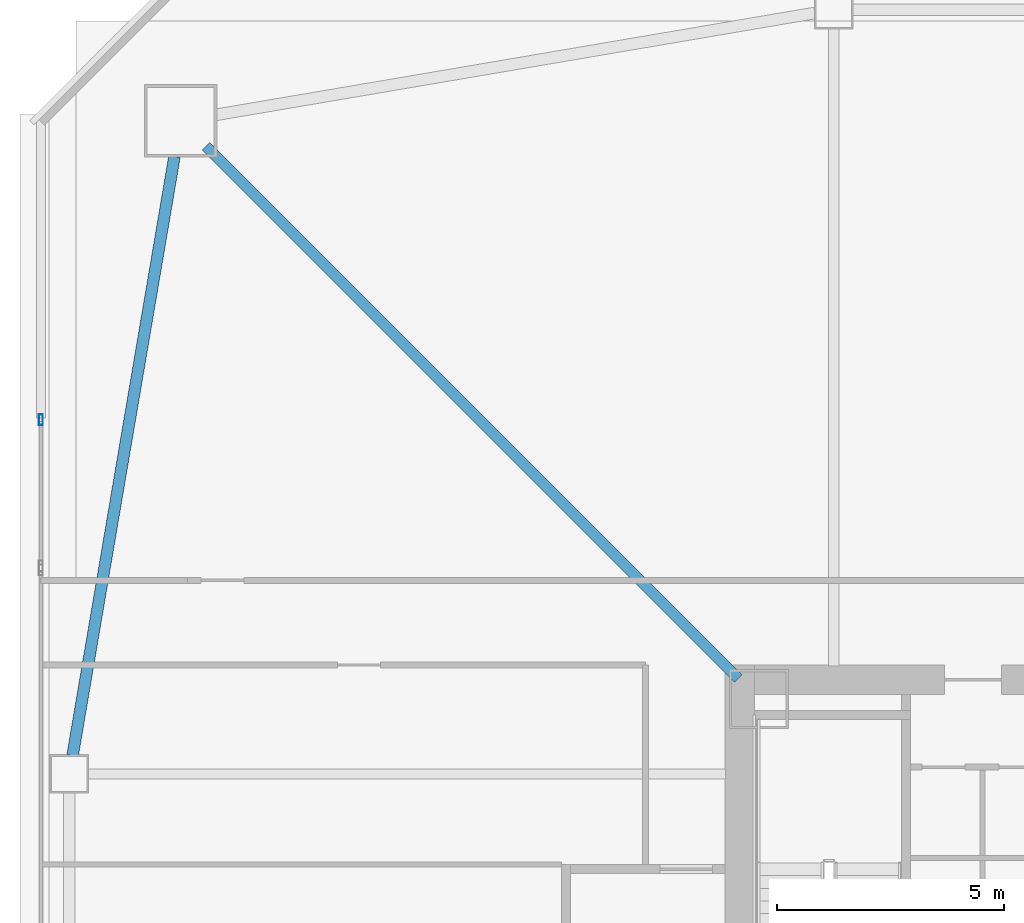
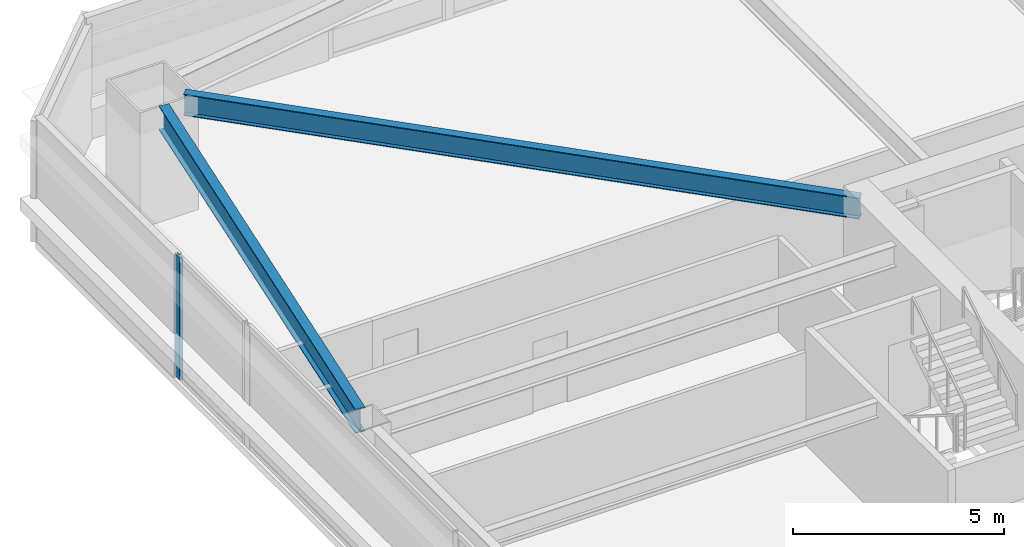
# One storey, part 13 of 46: 2 beams, 1 member, 1 element without a shape of its own.
"""IFC4 building model written with IfcOpenShell, lengths in metres."""

import ifcopenshell
import ifcopenshell.guid

model = None  # the IFC model being written
_history = None  # IfcOwnerHistory: only IFC2X3 demands one
_inside = {}  # id of a spatial element -> (the spatial element, [elements in it])
_under = {}  # id of a project, library or spatial element -> (it, [spatial elements below it])
_declared = {}  # id of a project -> (the project, [libraries it declares])
_typed = {}  # id of a type object -> (the type object, [elements of that type])
_made_of = {}  # id of a material, layer set ... -> (it, [elements and type objects made of it])


def new_model(schema):
    """Start an empty IFC model of exactly this schema.

    Asked for "IFC4X3", IfcOpenShell would pick the latest addendum, in which some entities
    have other attributes; the version numbers below select the first issue.
    IFC2X3 requires an IfcOwnerHistory on every rooted entity: one is made here for all.
    """
    global model, _history
    if schema == "IFC4X3":
        model = ifcopenshell.file(schema_version=(4, 3, 0, 0))
    else:
        model = ifcopenshell.file(schema=schema)
    _inside.clear()
    _under.clear()
    _declared.clear()
    _typed.clear()
    _made_of.clear()
    _history = None
    if model.schema == "IFC2X3":
        org = make("IfcOrganization", Name="unknown")
        user = make(
            "IfcPersonAndOrganization",
            ThePerson=make("IfcPerson", FamilyName="unknown"),
            TheOrganization=org,
        )
        app = make(
            "IfcApplication",
            ApplicationDeveloper=org,
            Version="unknown",
            ApplicationFullName="unknown",
            ApplicationIdentifier="unknown",
        )
        _history = make(
            "IfcOwnerHistory",
            OwningUser=user,
            OwningApplication=app,
            ChangeAction="ADDED",
            CreationDate=0,
        )
    return model


def make(cls, **values):
    """One entity of the class cls with the attributes given. An attribute that is None is left unset."""
    return model.create_entity(
        cls, **{name: value for name, value in values.items() if value is not None}
    )


def rooted(cls, **values):
    """An entity with a GlobalId (a new one), such as an element, a storey or a relation."""
    return make(cls, GlobalId=ifcopenshell.guid.new(), OwnerHistory=_history, **values)


def si_unit(unit_type, name, prefix=None):
    """IfcSIUnit, for example si_unit("LENGTHUNIT", "METRE", prefix="MILLI")."""
    return make("IfcSIUnit", UnitType=unit_type, Prefix=prefix, Name=name)


def assignment(units):
    """IfcUnitAssignment: the units of a project."""
    return None if units is None else make("IfcUnitAssignment", Units=units)


def point(xyz):
    """IfcCartesianPoint."""
    return None if xyz is None else make("IfcCartesianPoint", Coordinates=xyz)


def direction(xyz):
    """IfcDirection."""
    return None if xyz is None else make("IfcDirection", DirectionRatios=xyz)


def frame(location, z_axis=None, x_axis=None):
    """IfcAxis2Placement3D, a coordinate frame: its origin and axes. An axis left out is left unset."""
    return make(
        "IfcAxis2Placement3D",
        Location=point(location),
        Axis=direction(z_axis),
        RefDirection=direction(x_axis),
    )


def frame_2d(location, x_axis=None):
    """IfcAxis2Placement2D, a coordinate frame in the plane: its origin and x axis."""
    return make(
        "IfcAxis2Placement2D", Location=point(location), RefDirection=direction(x_axis)
    )


def origin():
    """The frame at (0, 0, 0) with its axes left unset."""
    return frame((0.0, 0.0, 0.0))


def origin_2d():
    """The frame at (0, 0) in the plane with its x axis left unset."""
    return frame_2d((0.0, 0.0))


def place(relative_to, where):
    """IfcLocalPlacement: puts the frame where relative to a parent placement (None: the world)."""
    return make(
        "IfcLocalPlacement", PlacementRelTo=relative_to, RelativePlacement=where
    )


def context(
    kind, dimensions, precision=None, world=None, true_north=None, identifier=None
):
    """IfcGeometricRepresentationContext, for example the 3D "Model" context."""
    return make(
        "IfcGeometricRepresentationContext",
        ContextIdentifier=identifier,
        ContextType=kind,
        CoordinateSpaceDimension=dimensions,
        Precision=precision,
        WorldCoordinateSystem=world,
        TrueNorth=true_north,
    )


def subcontext(parent, identifier, kind, view, scale=None):
    """IfcGeometricRepresentationSubContext, for example "Body" below "Model"."""
    return make(
        "IfcGeometricRepresentationSubContext",
        ContextIdentifier=identifier,
        ContextType=kind,
        ParentContext=parent,
        TargetScale=scale,
        TargetView=view,
    )


def project(units=None, contexts=None):
    """IfcProject with its units and contexts."""
    return rooted(
        "IfcProject",
        Name="project",
        RepresentationContexts=contexts,
        UnitsInContext=assignment(units),
    )


def spatial(cls, under=None, at=None, **own):
    """A site, building, storey or space (cls), placed at a placement, below another one or the project."""
    s = rooted(cls, ObjectPlacement=at, **own)
    if under is not None:
        _under.setdefault(under.id(), (under, []))[1].append(s)
    return s


def profile(cls, at=None, kind="AREA", **sizes):
    """A parametric profile (cls). Its sizes go by their IFC names, for example OverallWidth=200.0."""
    return make(cls, ProfileType=kind, Position=at, **sizes)


def hollow_rectangle(**sizes):
    """IfcRectangleHollowProfileDef."""
    return profile("IfcRectangleHollowProfileDef", **sizes)


def i_section(**sizes):
    """IfcIShapeProfileDef."""
    return profile("IfcIShapeProfileDef", **sizes)


def extrude(swept, where, along, depth):
    """IfcExtrudedAreaSolid: the profile swept, set in the frame where, extruded along a direction by depth."""
    return make(
        "IfcExtrudedAreaSolid",
        SweptArea=swept,
        Position=where,
        ExtrudedDirection=direction(along),
        Depth=depth,
    )


def shape(context_of_items, identifier, shape_type, items):
    """IfcShapeRepresentation: the items that make up one representation, for example the "Body"."""
    return make(
        "IfcShapeRepresentation",
        ContextOfItems=context_of_items,
        RepresentationIdentifier=identifier,
        RepresentationType=shape_type,
        Items=items,
    )


def material(Name=None, Category=None):
    """IfcMaterial."""
    return make("IfcMaterial", Name=Name, Category=Category)


def material_profile(
    of_material, cross_section, Name=None, Category=None, Priority=None
):
    """IfcMaterialProfile: a cross section and its material."""
    return make(
        "IfcMaterialProfile",
        Name=Name,
        Material=of_material,
        Profile=cross_section,
        Priority=Priority,
        Category=Category,
    )


def profile_set(profiles, Name=None, composite=None):
    """IfcMaterialProfileSet."""
    return make(
        "IfcMaterialProfileSet",
        Name=Name,
        MaterialProfiles=profiles,
        CompositeProfile=composite,
    )


def made_of(thing, what):
    """Note that an element or type object is made of a material, layer set ...; save() writes the relation."""
    if what is not None:
        _made_of.setdefault(what.id(), (what, []))[1].append(thing)
    return thing


def type_object(cls, material=None, **own):
    """A type object (cls), such as IfcWallType, which elements share."""
    return made_of(rooted(cls, **own), material)


def element(
    cls,
    number,
    at=None,
    inside=None,
    cuts=None,
    type_object=None,
    material=None,
    context=None,
    identifier="Body",
    shape_type=None,
    held_by="IfcProductDefinitionShape",
    body=None,
    shapes=None,
    **own,
):
    """One element of the class cls, such as IfcWall. Its Tag is "e" and its number.

    at: its placement. inside: the storey or other place that contains it. cuts: it is an
    opening in that element (IfcRelVoidsElement). A single representation is given by context,
    identifier, shape_type and body (its items); several are given by shapes. held_by: the class
    of the entity that holds the representations. save() writes the other relations.
    """
    e = rooted(cls, Tag="e%d" % number, ObjectPlacement=at, **own)
    if body is not None:
        shapes = [shape(context, identifier, shape_type, body)]
    if shapes is not None:
        e.Representation = make(held_by, Representations=shapes)
    if inside is not None:
        _inside.setdefault(inside.id(), (inside, []))[1].append(e)
    if cuts is not None:
        rooted(
            "IfcRelVoidsElement", RelatingBuildingElement=cuts, RelatedOpeningElement=e
        )
    if type_object is not None:
        _typed.setdefault(type_object.id(), (type_object, []))[1].append(e)
    return made_of(e, material)


def aggregate(whole, parts):
    """IfcRelAggregates: a whole, such as a stair, and the parts it consists of."""
    return rooted("IfcRelAggregates", RelatingObject=whole, RelatedObjects=parts)


def save(model, path):
    """Write the relations noted so far, then the file.

    IfcRelAggregates (storeys below a building ...), IfcRelContainedInSpatialStructure (elements
    in a storey), IfcRelDefinesByType, IfcRelAssociatesMaterial and IfcRelDeclares: one each for
    every whole, place, type object, material and project.
    """
    for whole, parts in _under.values():
        aggregate(whole, parts)
    for where, things in _inside.values():
        rooted(
            "IfcRelContainedInSpatialStructure",
            RelatedElements=things,
            RelatingStructure=where,
        )
    for kind, things in _typed.values():
        rooted("IfcRelDefinesByType", RelatedObjects=things, RelatingType=kind)
    for what, things in _made_of.values():
        rooted("IfcRelAssociatesMaterial", RelatedObjects=things, RelatingMaterial=what)
    for by, libraries in _declared.values():
        rooted("IfcRelDeclares", RelatingContext=by, RelatedDefinitions=libraries)
    model.write(path)


model = new_model("IFC4")

# Units and contexts
model_context = context("Model", 3, precision=1e-05, world=origin(), true_north=direction((0.0, 1.0)))
body_context = subcontext(model_context, "Body", "Model", "MODEL_VIEW")
ifc_project = project(units=[si_unit("LENGTHUNIT", "METRE"), si_unit("AREAUNIT", "SQUARE_METRE"), si_unit("VOLUMEUNIT", "CUBIC_METRE"), si_unit("PLANEANGLEUNIT", "RADIAN"), si_unit("MASSUNIT", "GRAM", prefix="KILO")], contexts=[model_context])

# Site, building, storey
site_placement = place(None, origin())
site = spatial("IfcSite", under=ifc_project, at=site_placement, CompositionType="ELEMENT")
building_placement = place(site_placement, origin())
building = spatial("IfcBuilding", under=site, at=building_placement, Name="Tashvorn Skyway Center", CompositionType="ELEMENT")
storey_placement = place(building_placement, frame((0.0, 0.0, 60.10009765625)))
storey = spatial("IfcBuildingStorey", under=building, at=storey_placement, Name="L15", CompositionType="ELEMENT", Elevation=60.10009765625)

# Beams
ifc_material_1 = material(Name="Steel ASTM A992 Grade 50", Category="steel")
ifc_material_profile_1 = material_profile(ifc_material_1, i_section(OverallWidth=0.22998046875, OverallDepth=0.616943359375, WebThickness=0.01318359375, FlangeThickness=0.022216796875, at=origin_2d()), Name="W24X94")
ifc_profile_set_1 = profile_set([ifc_material_profile_1], Name="Steel ASTM A992 Grade 50")
beam_type_1 = type_object("IfcBeamType", Name="BM-BEAM-W24X94", PredefinedType="BEAM", material=ifc_profile_set_1)
beam_1_placement = place(storey_placement, frame((22.76220703125, 51.23779296875, 3.04150390625), z_axis=(0.707106781187, -0.707106781187, 0.0), x_axis=(0.707106781187, 0.707106781187, 0.0)))
element("IfcBeam", 1, at=beam_1_placement, inside=storey, type_object=beam_type_1, Name="Tower 1 L15 Primary Floor Girder MC-NW", PredefinedType="BEAM", context=body_context, shape_type="SweptSolid", body=[
    extrude(i_section(OverallWidth=0.22998046875, OverallDepth=0.616943359375, WebThickness=0.01318359375, FlangeThickness=0.022216796875, at=origin_2d()), origin(), (0.0, 0.0, 1.0), 16.591064453125),
])
ifc_material_profile_2 = material_profile(ifc_material_1, i_section(OverallWidth=0.256103515625, OverallDepth=0.693115234375, WebThickness=0.014404296875, FlangeThickness=0.023681640625, at=origin_2d()), Name="W27X114")
ifc_profile_set_2 = profile_set([ifc_material_profile_2], Name="Steel ASTM A992 Grade 50")
beam_type_2 = type_object("IfcBeamType", Name="BM-SPANDREL-W27X114", PredefinedType="SPANDREL", material=ifc_profile_set_2)
beam_2_placement = place(storey_placement, frame((22.066650390625, 51.016357421875, 3.00341796875), z_axis=(-0.16771792509, -0.985835025551, 0.0), x_axis=(0.985835025551, -0.16771792509, 0.0)))
element("IfcBeam", 2, at=beam_2_placement, inside=storey, type_object=beam_type_2, Name="Tower 1 L15 Spandrel Beam 10", PredefinedType="SPANDREL", context=body_context, shape_type="SweptSolid", body=[
    extrude(i_section(OverallWidth=0.256103515625, OverallDepth=0.693115234375, WebThickness=0.014404296875, FlangeThickness=0.023681640625, at=origin_2d()), origin(), (0.0, 0.0, 1.0), 13.39208984375),
])

# Curtain wall, member
ifc_material_2 = material(Name="Thermally broken bronze-anodized aluminium 6063-T6", Category="aluminium")
curtain_wall_type = type_object("IfcCurtainWallType", Name="CW-CW-Z1", PredefinedType="NOTDEFINED", material=ifc_material_2)
curtain_wall_placement = place(storey_placement, origin())
curtain_wall = element("IfcCurtainWall", 3, at=curtain_wall_placement, inside=storey, type_object=curtain_wall_type, Name="Tower 1 L15 West Unitised Curtain Wall Glazing Group 3", PredefinedType="NOTDEFINED")
ifc_material_profile_3 = material_profile(ifc_material_2, hollow_rectangle(XDim=0.0849609375, YDim=0.239990234375, WallThickness=0.0048828125, at=origin_2d()), Name="ALU-MULL-85x240")
ifc_profile_set_3 = profile_set([ifc_material_profile_3], Name="Thermally broken bronze-anodized aluminium 6063-T6")
member_type = type_object("IfcMemberType", Name="CWM-CW-Z1", PredefinedType="MULLION", material=ifc_profile_set_3)
member_placement = place(storey_placement, frame((19.1201171875, 45.210693359375, 0.0), z_axis=(0.0, 0.0, 1.0), x_axis=(-1.0, 0.0, 0.0)))
member = element("IfcMember", 4, at=member_placement, type_object=member_type, Name="CW-Z1 mullion 2", PredefinedType="MULLION", context=body_context, shape_type="SweptSolid", body=[
    extrude(hollow_rectangle(XDim=0.0849609375, YDim=0.239990234375, WallThickness=0.0048828125, at=origin_2d()), origin(), (0.0, 0.0, 1.0), 3.5498046875),
])
aggregate(curtain_wall, [member])

save(model, "model.ifc")
